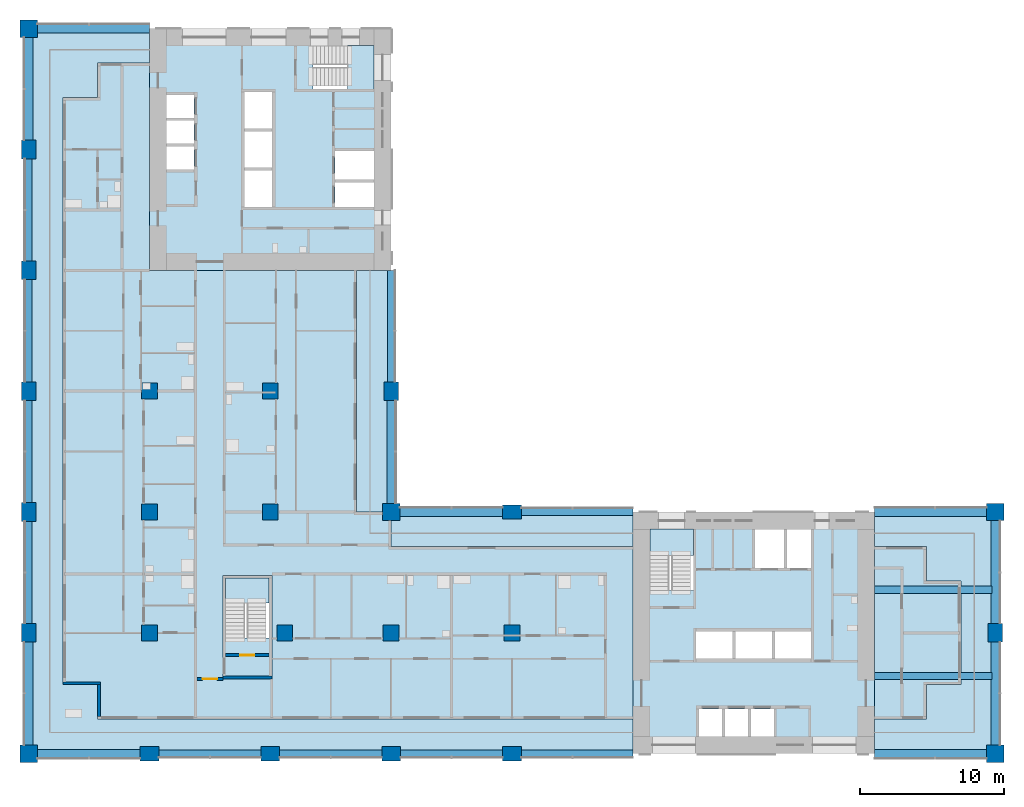
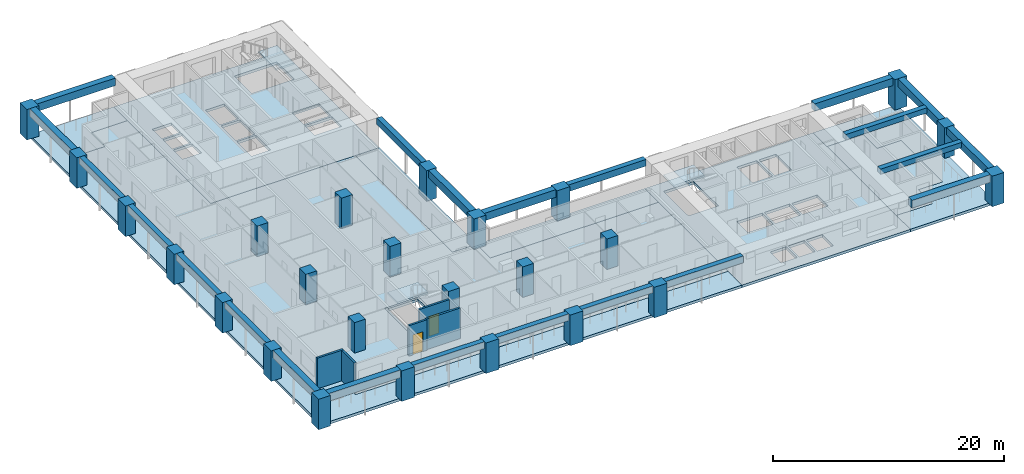
# One storey, part 1 of 17: 25 columns, 22 beams, 12 slabs, 5 walls, 2 doors, 2 openings, 3 elements without a shape of their own.
"""IFC4 building model written with IfcOpenShell, lengths in metres."""

from ifc_helpers import new_model, si_unit, direction, frame, frame_2d, origin, origin_2d, place, context, subcontext, project, spatial, polyline, rectangle, outline, extrude, material, layer, layer_set, material_profile, profile_set, type_object, element, fill, aggregate, save


model = new_model("IFC4")

# Units and contexts
model_context = context("Model", 3, precision=1e-05, world=origin(), true_north=direction((0.0, 1.0)))
body_context = subcontext(model_context, "Body", "Model", "MODEL_VIEW")
ifc_project = project(units=[si_unit("LENGTHUNIT", "METRE"), si_unit("AREAUNIT", "SQUARE_METRE"), si_unit("VOLUMEUNIT", "CUBIC_METRE"), si_unit("PLANEANGLEUNIT", "RADIAN"), si_unit("MASSUNIT", "GRAM", prefix="KILO")], contexts=[model_context])

# Site, building, storey
site_placement = place(None, origin())
site = spatial("IfcSite", under=ifc_project, at=site_placement, CompositionType="ELEMENT")
building_placement = place(site_placement, origin())
building = spatial("IfcBuilding", under=site, at=building_placement, Name="Vermilion Gate Residences", CompositionType="ELEMENT")
storey_placement = place(building_placement, frame((0.0, 0.0, 116.199951171875)))
storey = spatial("IfcBuildingStorey", under=building, at=storey_placement, Name="L29", CompositionType="ELEMENT", Elevation=116.199951171875)

# Columns
ifc_material_1 = material(Name="Concrete C70", Category="concrete")
ifc_material_profile_1 = material_profile(ifc_material_1, rectangle(XDim=1.10009765625, YDim=1.10009765625, at=origin_2d()), Name="RC-1100x1100")
ifc_profile_set_1 = profile_set([ifc_material_profile_1], Name="Concrete C70")
column_type_1 = type_object("IfcColumnType", Name="RC COLUMN 1100 X 1100 C70", PredefinedType="COLUMN", material=ifc_profile_set_1)
for number, where, z_axis, x_axis, name in (
    (1, (8.39990234375, 16.800048828125, 0.0), (0.0, 0.0, 1.0), (1.0, 0.0, 0.0), "Column 2-C L29"),
    (2, (8.39990234375, 25.199951171875, 0.0), (0.0, 0.0, 1.0), (1.0, 0.0, 0.0), "Column 2-D L29"),
    (3, (8.39990234375, 33.60009765625, 0.0), (0.0, 0.0, 1.0), (1.0, 0.0, 0.0), "Column 2-E L29"),
    (4, (17.800048828125, 16.800048828125, 0.0), (0.0, 0.0, 1.0), (1.0, 0.0, 0.0), "Column 3-C L29"),
    (5, (16.800048828125, 25.199951171875, 0.0), (0.0, 0.0, 1.0), (1.0, 0.0, 0.0), "Column 3-D L29"),
    (6, (16.800048828125, 33.60009765625, 0.0), (0.0, 0.0, 1.0), (1.0, 0.0, 0.0), "Column 3-E L29"),
    (7, (25.199951171875, 16.800048828125, 0.0), (0.0, 0.0, 1.0), (1.0, 0.0, 0.0), "Column 4-C L29"),
    (8, (33.60009765625, 16.800048828125, 0.0), (0.0, 0.0, 1.0), (1.0, 0.0, 0.0), "Column 5-C L29"),
):
    element("IfcColumn", number, at=place(storey_placement, frame(where, z_axis=z_axis, x_axis=x_axis)), inside=storey, type_object=column_type_1, Name=name, PredefinedType="COLUMN", context=body_context, shape_type="SweptSolid", body=[
        extrude(rectangle(XDim=1.10009765625, YDim=1.10009765625, at=origin_2d()), origin(), (0.0, 0.0, 1.0), 3.219970703125),
    ])
ifc_material_2 = material(Name="Concrete C70", Category="concrete")
ifc_material_profile_2 = material_profile(ifc_material_2, rectangle(XDim=1.199951171875, YDim=1.199951171875, at=origin_2d()), Name="RC-1200x1200")
ifc_profile_set_2 = profile_set([ifc_material_profile_2], Name="Concrete C70")
column_type_2 = type_object("IfcColumnType", Name="RC COLUMN 1200 X 1200 C70", PredefinedType="COLUMN", material=ifc_profile_set_2)
for number, where, z_axis, x_axis, name in (
    (9, (0.0, 8.39990234375, 0.0), (0.0, 0.0, 1.0), (1.0, 0.0, 0.0), "Column 1-B L29"),
    (10, (0.0, 58.800048828125, 0.0), (0.0, 0.0, 1.0), (1.0, 0.0, 0.0), "Column 1-H L29"),
    (11, (25.199951171875, 25.199951171875, 0.0), (0.0, 0.0, 1.0), (1.0, 0.0, 0.0), "Column 4-D L29"),
    (12, (67.199951171875, 8.39990234375, 0.0), (0.0, 0.0, 1.0), (1.0, 0.0, 0.0), "Column 9-B L29"),
    (13, (67.199951171875, 25.199951171875, 0.0), (0.0, 0.0, 1.0), (1.0, 0.0, 0.0), "Column 9-D L29"),
):
    element("IfcColumn", number, at=place(storey_placement, frame(where, z_axis=z_axis, x_axis=x_axis)), inside=storey, type_object=column_type_2, Name=name, PredefinedType="COLUMN", context=body_context, shape_type="SweptSolid", body=[
        extrude(rectangle(XDim=1.199951171875, YDim=1.199951171875, at=origin_2d()), origin(), (0.0, 0.0, 1.0), 3.219970703125),
    ])
ifc_material_3 = material(Name="Concrete C70", Category="concrete")
ifc_material_profile_3 = material_profile(ifc_material_3, rectangle(XDim=1.300048828125, YDim=1.0, at=origin_2d()), Name="RC-1300x1000")
ifc_profile_set_3 = profile_set([ifc_material_profile_3], Name="Concrete C70")
column_type_3 = type_object("IfcColumnType", Name="RC COLUMN 1300 X 1000 C70", PredefinedType="COLUMN", material=ifc_profile_set_3)
for number, where, z_axis, x_axis, name in (
    (14, (0.0, 16.800048828125, 0.0), (0.0, 0.0, 1.0), (0.0, 1.0, 0.0), "Column 1-C L29"),
    (15, (0.0, 25.199951171875, 0.0), (0.0, 0.0, 1.0), (0.0, 1.0, 0.0), "Column 1-D L29"),
    (16, (0.0, 33.60009765625, 0.0), (0.0, 0.0, 1.0), (0.0, 1.0, 0.0), "Column 1-E L29"),
    (17, (0.0, 42.0, 0.0), (0.0, 0.0, 1.0), (0.0, 1.0, 0.0), "Column 1-F L29"),
    (18, (0.0, 50.39990234375, 0.0), (0.0, 0.0, 1.0), (0.0, 1.0, 0.0), "Column 1-G L29"),
    (19, (8.39990234375, 8.39990234375, 0.0), (0.0, 0.0, 1.0), (1.0, 0.0, 0.0), "Column 2-B L29"),
    (20, (16.800048828125, 8.39990234375, 0.0), (0.0, 0.0, 1.0), (1.0, 0.0, 0.0), "Column 3-B L29"),
    (21, (25.199951171875, 8.39990234375, 0.0), (0.0, 0.0, 1.0), (1.0, 0.0, 0.0), "Column 4-B L29"),
    (22, (25.199951171875, 33.60009765625, 0.0), (0.0, 0.0, 1.0), (0.0, 1.0, 0.0), "Column 4-E L29"),
    (23, (33.60009765625, 8.39990234375, 0.0), (0.0, 0.0, 1.0), (1.0, 0.0, 0.0), "Column 5-B L29"),
    (24, (33.60009765625, 25.199951171875, 0.0), (0.0, 0.0, 1.0), (1.0, 0.0, 0.0), "Column 5-D L29"),
    (25, (67.199951171875, 16.800048828125, 0.0), (0.0, 0.0, 1.0), (0.0, 1.0, 0.0), "Column 9-C L29"),
):
    element("IfcColumn", number, at=place(storey_placement, frame(where, z_axis=z_axis, x_axis=x_axis)), inside=storey, type_object=column_type_3, Name=name, PredefinedType="COLUMN", context=body_context, shape_type="SweptSolid", body=[
        extrude(rectangle(XDim=1.300048828125, YDim=1.0, at=origin_2d()), origin(), (0.0, 0.0, 1.0), 3.219970703125),
    ])

# Beams
ifc_material_4 = material(Name="Concrete C60 red-oxide pigmented", Category="concrete")
ifc_material_profile_4 = material_profile(ifc_material_4, rectangle(XDim=0.60009765625, YDim=0.800048828125, at=origin_2d()), Name="RC-600x800")
ifc_profile_set_4 = profile_set([ifc_material_profile_4], Name="Concrete C60 red-oxide pigmented")
beam_type_1 = type_object("IfcBeamType", Name="RC CORNER EDGE BEAM 600 X 800 C60", PredefinedType="BEAM", material=ifc_profile_set_4)
for number, where, z_axis, x_axis, name in (
    (26, (0.60009765625, 8.39990234375, 2.820068359375), (1.0, 0.0, 0.0), (0.0, 1.0, 0.0), "Corner edge beam L29 1"),
    (27, (0.0, 9.0, 2.820068359375), (0.0, 1.0, 0.0), (-1.0, 0.0, 0.0), "Corner edge beam L29 2"),
):
    element("IfcBeam", number, at=place(storey_placement, frame(where, z_axis=z_axis, x_axis=x_axis)), inside=storey, type_object=beam_type_1, Name=name, PredefinedType="BEAM", context=body_context, shape_type="SweptSolid", body=[
        extrude(rectangle(XDim=0.60009765625, YDim=0.800048828125, at=origin_2d()), origin(), (0.0, 0.0, 1.0), 7.14990234375),
    ])
beam_1_placement = place(storey_placement, frame((0.60009765625, 58.800048828125, 2.820068359375), z_axis=(1.0, 0.0, 0.0), x_axis=(0.0, 1.0, 0.0)))
element("IfcBeam", 28, at=beam_1_placement, inside=storey, type_object=beam_type_1, Name="Corner edge beam L29 7", PredefinedType="BEAM", context=body_context, shape_type="SweptSolid", body=[
    extrude(rectangle(XDim=0.60009765625, YDim=0.800048828125, at=origin_2d()), origin(), (0.0, 0.0, 1.0), 7.7998046875),
])
for number, where, z_axis, x_axis, name in (
    (29, (0.0, 51.050048828125, 2.820068359375), (0.0, 1.0, 0.0), (-1.0, 0.0, 0.0), "Corner edge beam L29 8"),
    (30, (25.199951171875, 25.800048828125, 2.820068359375), (0.0, 1.0, 0.0), (-1.0, 0.0, 0.0), "Corner edge beam L29 11"),
    (31, (25.800048828125, 25.199951171875, 2.820068359375), (1.0, 0.0, 0.0), (0.0, 1.0, 0.0), "Corner edge beam L29 14"),
):
    element("IfcBeam", number, at=place(storey_placement, frame(where, z_axis=z_axis, x_axis=x_axis)), inside=storey, type_object=beam_type_1, Name=name, PredefinedType="BEAM", context=body_context, shape_type="SweptSolid", body=[
        extrude(rectangle(XDim=0.60009765625, YDim=0.800048828125, at=origin_2d()), origin(), (0.0, 0.0, 1.0), 7.14990234375),
    ])
beam_2_placement = place(storey_placement, frame((58.800048828125, 8.39990234375, 2.820068359375), z_axis=(1.0, 0.0, 0.0), x_axis=(0.0, 1.0, 0.0)))
element("IfcBeam", 32, at=beam_2_placement, inside=storey, type_object=beam_type_1, Name="Corner edge beam L29 17", PredefinedType="BEAM", context=body_context, shape_type="SweptSolid", body=[
    extrude(rectangle(XDim=0.60009765625, YDim=0.800048828125, at=origin_2d()), origin(), (0.0, 0.0, 1.0), 7.800048828125),
])
beam_3_placement = place(storey_placement, frame((67.199951171875, 9.0, 2.820068359375), z_axis=(0.0, 1.0, 0.0), x_axis=(-1.0, 0.0, 0.0)))
element("IfcBeam", 33, at=beam_3_placement, inside=storey, type_object=beam_type_1, Name="Corner edge beam L29 18", PredefinedType="BEAM", context=body_context, shape_type="SweptSolid", body=[
    extrude(rectangle(XDim=0.60009765625, YDim=0.800048828125, at=origin_2d()), origin(), (0.0, 0.0, 1.0), 7.14990234375),
])
beam_4_placement = place(storey_placement, frame((67.199951171875, 17.449951171875, 2.820068359375), z_axis=(0.0, 1.0, 0.0), x_axis=(-1.0, 0.0, 0.0)))
element("IfcBeam", 34, at=beam_4_placement, inside=storey, type_object=beam_type_1, Name="Corner edge beam L29 19", PredefinedType="BEAM", context=body_context, shape_type="SweptSolid", body=[
    extrude(rectangle(XDim=0.60009765625, YDim=0.800048828125, at=origin_2d()), origin(), (0.0, 0.0, 1.0), 7.150146484375),
])
beam_5_placement = place(storey_placement, frame((58.800048828125, 25.199951171875, 2.820068359375), z_axis=(1.0, 0.0, 0.0), x_axis=(0.0, 1.0, 0.0)))
element("IfcBeam", 35, at=beam_5_placement, inside=storey, type_object=beam_type_1, Name="Corner edge beam L29 20", PredefinedType="BEAM", context=body_context, shape_type="SweptSolid", body=[
    extrude(rectangle(XDim=0.60009765625, YDim=0.800048828125, at=origin_2d()), origin(), (0.0, 0.0, 1.0), 7.800048828125),
])
ifc_material_5 = material(Name="Concrete C60 red-oxide pigmented", Category="concrete")
ifc_material_profile_5 = material_profile(ifc_material_5, rectangle(XDim=0.5, YDim=0.699951171875, at=origin_2d()), Name="RC-500x700")
ifc_profile_set_5 = profile_set([ifc_material_profile_5], Name="Concrete C60 red-oxide pigmented")
beam_type_2 = type_object("IfcBeamType", Name="RC EDGE BEAM 500 X 700 C60", PredefinedType="BEAM", material=ifc_profile_set_5)
beam_6_placement = place(storey_placement, frame((0.0, 17.449951171875, 2.8701171875), z_axis=(0.0, 1.0, 0.0), x_axis=(-1.0, 0.0, 0.0)))
element("IfcBeam", 36, at=beam_6_placement, inside=storey, type_object=beam_type_2, Name="Edge beam L29 3", PredefinedType="BEAM", context=body_context, shape_type="SweptSolid", body=[
    extrude(rectangle(XDim=0.5, YDim=0.699951171875, at=origin_2d()), origin(), (0.0, 0.0, 1.0), 7.10009765625),
])
beam_7_placement = place(storey_placement, frame((0.0, 25.85009765625, 2.8701171875), z_axis=(0.0, 1.0, 0.0), x_axis=(-1.0, 0.0, 0.0)))
element("IfcBeam", 37, at=beam_7_placement, inside=storey, type_object=beam_type_2, Name="Edge beam L29 4", PredefinedType="BEAM", context=body_context, shape_type="SweptSolid", body=[
    extrude(rectangle(XDim=0.5, YDim=0.699951171875, at=origin_2d()), origin(), (0.0, 0.0, 1.0), 7.099853515625),
])
for number, where, z_axis, x_axis, name in (
    (38, (0.0, 34.25, 2.8701171875), (0.0, 1.0, 0.0), (-1.0, 0.0, 0.0), "Edge beam L29 5"),
    (39, (0.0, 42.64990234375, 2.8701171875), (0.0, 1.0, 0.0), (-1.0, 0.0, 0.0), "Edge beam L29 6"),
):
    element("IfcBeam", number, at=place(storey_placement, frame(where, z_axis=z_axis, x_axis=x_axis)), inside=storey, type_object=beam_type_2, Name=name, PredefinedType="BEAM", context=body_context, shape_type="SweptSolid", body=[
        extrude(rectangle(XDim=0.5, YDim=0.699951171875, at=origin_2d()), origin(), (0.0, 0.0, 1.0), 7.10009765625),
    ])
beam_8_placement = place(storey_placement, frame((9.050048828125, 8.39990234375, 2.8701171875), z_axis=(1.0, 0.0, 0.0), x_axis=(0.0, 1.0, 0.0)))
element("IfcBeam", 40, at=beam_8_placement, inside=storey, type_object=beam_type_2, Name="Edge beam L29 9", PredefinedType="BEAM", context=body_context, shape_type="SweptSolid", body=[
    extrude(rectangle(XDim=0.5, YDim=0.699951171875, at=origin_2d()), origin(), (0.0, 0.0, 1.0), 7.099853515625),
])
beam_9_placement = place(storey_placement, frame((17.449951171875, 8.39990234375, 2.8701171875), z_axis=(1.0, 0.0, 0.0), x_axis=(0.0, 1.0, 0.0)))
element("IfcBeam", 41, at=beam_9_placement, inside=storey, type_object=beam_type_2, Name="Edge beam L29 10", PredefinedType="BEAM", context=body_context, shape_type="SweptSolid", body=[
    extrude(rectangle(XDim=0.5, YDim=0.699951171875, at=origin_2d()), origin(), (0.0, 0.0, 1.0), 7.10009765625),
])
beam_10_placement = place(storey_placement, frame((25.199951171875, 34.25, 2.8701171875), z_axis=(0.0, 1.0, 0.0), x_axis=(-1.0, 0.0, 0.0)))
element("IfcBeam", 42, at=beam_10_placement, inside=storey, type_object=beam_type_2, Name="Edge beam L29 12", PredefinedType="BEAM", context=body_context, shape_type="SweptSolid", body=[
    extrude(rectangle(XDim=0.5, YDim=0.699951171875, at=origin_2d()), origin(), (0.0, 0.0, 1.0), 7.75),
])
beam_11_placement = place(storey_placement, frame((25.85009765625, 8.39990234375, 2.8701171875), z_axis=(1.0, 0.0, 0.0), x_axis=(0.0, 1.0, 0.0)))
element("IfcBeam", 43, at=beam_11_placement, inside=storey, type_object=beam_type_2, Name="Edge beam L29 13", PredefinedType="BEAM", context=body_context, shape_type="SweptSolid", body=[
    extrude(rectangle(XDim=0.5, YDim=0.699951171875, at=origin_2d()), origin(), (0.0, 0.0, 1.0), 7.099853515625),
])
for number, where, z_axis, x_axis, name in (
    (44, (34.25, 8.39990234375, 2.8701171875), (1.0, 0.0, 0.0), (0.0, 1.0, 0.0), "Edge beam L29 15"),
    (45, (34.25, 25.199951171875, 2.8701171875), (1.0, 0.0, 0.0), (0.0, 1.0, 0.0), "Edge beam L29 16"),
):
    element("IfcBeam", number, at=place(storey_placement, frame(where, z_axis=z_axis, x_axis=x_axis)), inside=storey, type_object=beam_type_2, Name=name, PredefinedType="BEAM", context=body_context, shape_type="SweptSolid", body=[
        extrude(rectangle(XDim=0.5, YDim=0.699951171875, at=origin_2d()), origin(), (0.0, 0.0, 1.0), 7.75),
    ])
ifc_material_6 = material(Name="Concrete C60", Category="concrete")
ifc_material_profile_6 = material_profile(ifc_material_6, rectangle(XDim=0.5, YDim=0.550048828125, at=origin_2d()), Name="RC-500x550")
ifc_profile_set_6 = profile_set([ifc_material_profile_6], Name="Concrete C60")
beam_type_3 = type_object("IfcBeamType", Name="RC WING BEAM 500 X 550 C60", PredefinedType="BEAM", material=ifc_profile_set_6)
for number, where, z_axis, x_axis, name in (
    (46, (58.800048828125, 13.800048828125, 2.945068359375), (1.0, 0.0, 0.0), (0.0, 1.0, 0.0), "Wing-end beam L29 1"),
    (47, (58.800048828125, 19.800048828125, 2.945068359375), (1.0, 0.0, 0.0), (0.0, 1.0, 0.0), "Wing-end beam L29 2"),
):
    element("IfcBeam", number, at=place(storey_placement, frame(where, z_axis=z_axis, x_axis=x_axis)), inside=storey, type_object=beam_type_3, Name=name, PredefinedType="BEAM", context=body_context, shape_type="SweptSolid", body=[
        extrude(rectangle(XDim=0.5, YDim=0.550048828125, at=origin_2d()), origin(), (0.0, 0.0, 1.0), 8.14990234375),
    ])

# Slabs
ifc_material_7 = material(Name="Concrete C50", Category="concrete")
ifc_layer_1 = layer(ifc_material_7, 0.280029296875)
ifc_layer_set_1 = layer_set([ifc_layer_1], Name="RC CORE FLOOR SLAB 280 C50")
slab_type_1 = type_object("IfcSlabType", Name="RC CORE FLOOR SLAB 280 C50", PredefinedType="FLOOR", material=ifc_layer_set_1)
slab_1_placement = place(storey_placement, frame((0.0, 0.0, -0.280029296875)))
element("IfcSlab", 48, at=slab_1_placement, inside=storey, type_object=slab_type_1, Name="Core floor slab A29", PredefinedType="FLOOR", context=body_context, shape_type="SweptSolid", body=[
    extrude(outline(polyline([(42.0, 8.39990234375), (58.800048828125, 8.39990234375), (58.800048828125, 25.199951171875), (42.0, 25.199951171875), (42.0, 8.39990234375)]), holes=[polyline([(46.60009765625, 11.5), (48.199951171875, 11.5), (48.199951171875, 9.60009765625), (46.60009765625, 9.60009765625), (46.60009765625, 11.5)]), polyline([(48.39990234375, 11.5), (50.0, 11.5), (50.0, 9.60009765625), (48.39990234375, 9.60009765625), (48.39990234375, 11.5)]), polyline([(50.199951171875, 11.5), (51.800048828125, 11.5), (51.800048828125, 9.60009765625), (50.199951171875, 9.60009765625), (50.199951171875, 11.5)]), polyline([(46.39990234375, 16.89990234375), (48.933349609375, 16.89990234375), (48.933349609375, 15.0), (46.39990234375, 15.0), (46.39990234375, 16.89990234375)]), polyline([(49.13330078125, 16.89990234375), (51.666748046875, 16.89990234375), (51.666748046875, 15.0), (49.13330078125, 15.0), (49.13330078125, 16.89990234375)]), polyline([(51.86669921875, 16.89990234375), (54.39990234375, 16.89990234375), (54.39990234375, 15.0), (51.86669921875, 15.0), (51.86669921875, 16.89990234375)]), polyline([(43.199951171875, 24.0), (46.199951171875, 24.0), (46.199951171875, 19.75), (43.199951171875, 19.75), (43.199951171875, 24.0)]), polyline([(52.5, 24.0), (52.5, 21.300048828125), (50.5, 21.300048828125), (50.5, 24.0), (52.5, 24.0)]), polyline([(54.39990234375, 24.0), (54.39990234375, 21.300048828125), (52.699951171875, 21.300048828125), (52.699951171875, 24.0), (54.39990234375, 24.0)])]), origin(), (0.0, 0.0, 1.0), 0.280029296875),
])
slab_2_placement = place(storey_placement, frame((0.0, 0.0, -0.280029296875)))
element("IfcSlab", 49, at=slab_2_placement, inside=storey, type_object=slab_type_1, Name="Core floor slab B29", PredefinedType="FLOOR", context=body_context, shape_type="SweptSolid", body=[
    extrude(outline(polyline([(8.39990234375, 42.0), (25.199951171875, 42.0), (25.199951171875, 58.800048828125), (8.39990234375, 58.800048828125), (8.39990234375, 42.0)]), holes=[polyline([(21.300048828125, 48.10009765625), (24.0, 48.10009765625), (24.0, 46.39990234375), (21.300048828125, 46.39990234375), (21.300048828125, 48.10009765625)]), polyline([(15.0, 48.933349609375), (16.89990234375, 48.933349609375), (16.89990234375, 46.39990234375), (15.0, 46.39990234375), (15.0, 48.933349609375)]), polyline([(21.300048828125, 50.300048828125), (24.0, 50.300048828125), (24.0, 48.300048828125), (21.300048828125, 48.300048828125), (21.300048828125, 50.300048828125)]), polyline([(9.60009765625, 50.60009765625), (11.5, 50.60009765625), (11.5, 49.0), (9.60009765625, 49.0), (9.60009765625, 50.60009765625)]), polyline([(15.0, 51.666748046875), (16.89990234375, 51.666748046875), (16.89990234375, 49.13330078125), (15.0, 49.13330078125), (15.0, 51.666748046875)]), polyline([(9.60009765625, 52.39990234375), (11.5, 52.39990234375), (11.5, 50.800048828125), (9.60009765625, 50.800048828125), (9.60009765625, 52.39990234375)]), polyline([(15.0, 54.39990234375), (16.89990234375, 54.39990234375), (16.89990234375, 51.86669921875), (15.0, 51.86669921875), (15.0, 54.39990234375)]), polyline([(11.5, 54.199951171875), (11.5, 52.60009765625), (9.60009765625, 52.60009765625), (9.60009765625, 54.199951171875), (11.5, 54.199951171875)]), polyline([(24.0, 57.60009765625), (24.0, 54.60009765625), (19.75, 54.60009765625), (19.75, 57.60009765625), (24.0, 57.60009765625)])]), origin(), (0.0, 0.0, 1.0), 0.280029296875),
])
slab_3_placement = place(storey_placement, frame((0.0, 0.0, -0.280029296875)))
element("IfcSlab", 50, at=slab_3_placement, inside=storey, type_object=slab_type_1, Name="Apex stair floor slab 29", PredefinedType="FLOOR", context=body_context, shape_type="SweptSolid", body=[
    extrude(outline(polyline([(13.5, 13.60009765625), (16.89990234375, 13.60009765625), (16.89990234375, 20.800048828125), (13.5, 20.800048828125), (13.5, 13.60009765625)]), holes=[polyline([(16.699951171875, 20.60009765625), (16.699951171875, 16.449951171875), (13.699951171875, 16.449951171875), (13.699951171875, 20.60009765625), (16.699951171875, 20.60009765625)])]), origin(), (0.0, 0.0, 1.0), 0.280029296875),
])
ifc_material_8 = material(Name="Concrete C50", Category="concrete")
ifc_layer_2 = layer(ifc_material_8, 0.280029296875)
ifc_layer_set_2 = layer_set([ifc_layer_2], Name="RC FLAT PLATE 280 C50")
slab_type_2 = type_object("IfcSlabType", Name="RC FLAT PLATE 280 C50", PredefinedType="FLOOR", material=ifc_layer_set_2)
slab_4_placement = place(storey_placement, frame((0.0, 0.0, -0.280029296875)))
element("IfcSlab", 51, at=slab_4_placement, inside=storey, type_object=slab_type_2, Name="Floor slab L29", PredefinedType="FLOOR", context=body_context, shape_type="SweptSolid", body=[
    extrude(outline(polyline([(22.800048828125, 25.199951171875), (22.800048828125, 42.0), (8.39990234375, 42.0), (8.39990234375, 56.39990234375), (4.800048828125, 56.39990234375), (4.800048828125, 54.0), (2.39990234375, 54.0), (2.39990234375, 13.199951171875), (4.800048828125, 13.199951171875), (4.800048828125, 10.800048828125), (42.0, 10.800048828125), (42.0, 22.800048828125), (25.199951171875, 22.800048828125), (25.199951171875, 25.199951171875), (22.800048828125, 25.199951171875)]), holes=[polyline([(13.5, 13.60009765625), (13.5, 20.800048828125), (16.89990234375, 20.800048828125), (16.89990234375, 13.60009765625), (13.5, 13.60009765625)])]), origin(), (0.0, 0.0, 1.0), 0.280029296875),
])
slab_5_placement = place(storey_placement, frame((0.0, 0.0, -0.280029296875)))
element("IfcSlab", 52, at=slab_5_placement, inside=storey, type_object=slab_type_2, Name="Floor slab L29", PredefinedType="FLOOR", context=body_context, shape_type="SweptSolid", body=[
    extrude(outline(polyline([(58.800048828125, 22.800048828125), (58.800048828125, 10.800048828125), (62.39990234375, 10.800048828125), (62.39990234375, 13.199951171875), (64.800048828125, 13.199951171875), (64.800048828125, 20.39990234375), (62.39990234375, 20.39990234375), (62.39990234375, 22.800048828125), (58.800048828125, 22.800048828125)])), origin(), (0.0, 0.0, 1.0), 0.280029296875),
])
ifc_material_9 = material(Name="Concrete C50 red-oxide pigmented", Category="concrete")
ifc_layer_3 = layer(ifc_material_9, 0.280029296875)
ifc_layer_set_3 = layer_set([ifc_layer_3], Name="RC LOGGIA SLAB 280 C50")
slab_type_3 = type_object("IfcSlabType", Name="RC LOGGIA SLAB 280 C50", PredefinedType="FLOOR", material=ifc_layer_set_3)
slab_6_placement = place(storey_placement, frame((0.0, 0.0, -0.280029296875)))
element("IfcSlab", 53, at=slab_6_placement, inside=storey, type_object=slab_type_3, Name="Loggia slab L29", PredefinedType="FLOOR", context=body_context, shape_type="SweptSolid", body=[
    extrude(outline(polyline([(0.0, 58.800048828125), (0.0, 8.39990234375), (42.0, 8.39990234375), (42.0, 10.800048828125), (4.800048828125, 10.800048828125), (4.800048828125, 13.199951171875), (2.39990234375, 13.199951171875), (2.39990234375, 54.0), (4.800048828125, 54.0), (4.800048828125, 56.39990234375), (8.39990234375, 56.39990234375), (8.39990234375, 58.800048828125), (0.0, 58.800048828125)])), origin(), (0.0, 0.0, 1.0), 0.280029296875),
])
slab_7_placement = place(storey_placement, frame((0.0, 0.0, -0.280029296875)))
element("IfcSlab", 54, at=slab_7_placement, inside=storey, type_object=slab_type_3, Name="Loggia slab L29", PredefinedType="FLOOR", context=body_context, shape_type="SweptSolid", body=[
    extrude(outline(polyline([(64.800048828125, 20.39990234375), (64.800048828125, 13.199951171875), (62.39990234375, 13.199951171875), (62.39990234375, 10.800048828125), (58.800048828125, 10.800048828125), (58.800048828125, 8.39990234375), (67.199951171875, 8.39990234375), (67.199951171875, 25.199951171875), (58.800048828125, 25.199951171875), (58.800048828125, 22.800048828125), (62.39990234375, 22.800048828125), (62.39990234375, 20.39990234375), (64.800048828125, 20.39990234375)])), origin(), (0.0, 0.0, 1.0), 0.280029296875),
])
slab_8_placement = place(storey_placement, frame((0.0, 0.0, -0.280029296875)))
element("IfcSlab", 55, at=slab_8_placement, inside=storey, type_object=slab_type_3, Name="Loggia slab L29", PredefinedType="FLOOR", context=body_context, shape_type="SweptSolid", body=[
    extrude(outline(polyline([(25.199951171875, 22.800048828125), (42.0, 22.800048828125), (42.0, 25.199951171875), (25.199951171875, 25.199951171875), (25.199951171875, 22.800048828125)])), origin(), (0.0, 0.0, 1.0), 0.280029296875),
])
slab_9_placement = place(storey_placement, frame((0.0, 0.0, -0.280029296875)))
element("IfcSlab", 56, at=slab_9_placement, inside=storey, type_object=slab_type_3, Name="Loggia slab L29", PredefinedType="FLOOR", context=body_context, shape_type="SweptSolid", body=[
    extrude(outline(polyline([(25.199951171875, 25.199951171875), (25.199951171875, 42.0), (22.800048828125, 42.0), (22.800048828125, 25.199951171875), (25.199951171875, 25.199951171875)])), origin(), (0.0, 0.0, 1.0), 0.280029296875),
])

# Stair, slab
ifc_material_10 = material(Name="Concrete C50", Category="concrete")
stair_type = type_object("IfcStairType", Name="SPECIAL ESCAPE STAIR 1300", PredefinedType="HALF_TURN_STAIR", material=ifc_material_10)
stair_1_placement = place(storey_placement, origin())
stair_1 = element("IfcStair", 57, at=stair_1_placement, inside=storey, type_object=stair_type, Name="Special escape stair STA1-29", PredefinedType="HALF_TURN_STAIR")
ifc_material_11 = material(Name="Concrete C50", Category="concrete")
ifc_layer_4 = layer(ifc_material_11, 0.199951171875)
ifc_layer_set_4 = layer_set([ifc_layer_4], Name="STAIR LANDING 200 C50")
slab_type_4 = type_object("IfcSlabType", Name="STAIR LANDING 200 C50", PredefinedType="LANDING", material=ifc_layer_set_4)
slab_10_placement = place(storey_placement, frame((0.0, 0.0, 1.550048828125)))
slab_10 = element("IfcSlab", 58, at=slab_10_placement, type_object=slab_type_4, Name="STA1-29 landing 1", PredefinedType="LANDING", context=body_context, shape_type="SweptSolid", body=[
    extrude(outline(polyline([(46.219970703125, 22.179931640625), (46.219970703125, 24.02001953125), (43.179931640625, 24.02001953125), (43.179931640625, 22.179931640625), (46.219970703125, 22.179931640625)])), origin(), (0.0, 0.0, 1.0), 0.199951171875),
])
aggregate(stair_1, [slab_10])

stair_2_placement = place(storey_placement, origin())
stair_2 = element("IfcStair", 59, at=stair_2_placement, inside=storey, type_object=stair_type, Name="Special escape stair STB1-29", PredefinedType="HALF_TURN_STAIR")
slab_11_placement = place(storey_placement, frame((0.0, 0.0, 1.550048828125)))
slab_11 = element("IfcSlab", 60, at=slab_11_placement, type_object=slab_type_4, Name="STB1-29 landing 1", PredefinedType="LANDING", context=body_context, shape_type="SweptSolid", body=[
    extrude(outline(polyline([(24.02001953125, 54.580078125), (24.02001953125, 57.6201171875), (22.179931640625, 57.6201171875), (22.179931640625, 54.580078125), (24.02001953125, 54.580078125)])), origin(), (0.0, 0.0, 1.0), 0.199951171875),
])
aggregate(stair_2, [slab_11])

stair_3_placement = place(storey_placement, origin())
stair_3 = element("IfcStair", 61, at=stair_3_placement, inside=storey, type_object=stair_type, Name="Special escape stair STC1-29", PredefinedType="HALF_TURN_STAIR")
slab_12_placement = place(storey_placement, frame((0.0, 0.0, 1.550048828125)))
slab_12 = element("IfcSlab", 62, at=slab_12_placement, type_object=slab_type_4, Name="STC1-29 landing 1", PredefinedType="LANDING", context=body_context, shape_type="SweptSolid", body=[
    extrude(outline(polyline([(16.719970703125, 18.8798828125), (16.719970703125, 20.6201171875), (13.679931640625, 20.6201171875), (13.679931640625, 18.8798828125), (16.719970703125, 18.8798828125)])), origin(), (0.0, 0.0, 1.0), 0.199951171875),
])
aggregate(stair_3, [slab_12])

# Walls
ifc_material_12 = material(Name="Insulated steel stud wall with terracotta rainscreen", Category="masonry")
ifc_layer_5 = layer(ifc_material_12, 0.199951171875)
ifc_layer_set_5 = layer_set([ifc_layer_5], Name="EXTERNAL WALL 200 TERRACOTTA RAINSCREEN")
wall_type_1 = type_object("IfcWallType", Name="EXTERNAL WALL 200 TERRACOTTA RAINSCREEN", PredefinedType="SOLIDWALL", material=ifc_layer_set_5)
wall_1_placement = place(storey_placement, frame((2.39990234375, 13.300048828125, 0.0), z_axis=(0.0, 0.0, 1.0), x_axis=(1.0, 0.0, 0.0)))
element("IfcWall", 63, at=wall_1_placement, inside=storey, type_object=wall_type_1, Name="External wall", PredefinedType="SOLIDWALL", context=body_context, shape_type="SweptSolid", body=[
    extrude(rectangle(XDim=2.60009765625, YDim=0.199951171875, at=frame_2d((1.300048828125, 0.0))), origin(), (0.0, 0.0, 1.0), 3.219970703125),
])
wall_2_placement = place(storey_placement, frame((4.89990234375, 13.199951171875, 0.0), z_axis=(0.0, 0.0, 1.0), x_axis=(0.0, -1.0, 0.0)))
element("IfcWall", 64, at=wall_2_placement, inside=storey, type_object=wall_type_1, Name="External wall", PredefinedType="SOLIDWALL", context=body_context, shape_type="SweptSolid", body=[
    extrude(rectangle(XDim=2.199951171875, YDim=0.199951171875, at=frame_2d((1.10009765625, 0.0))), origin(), (0.0, 0.0, 1.0), 3.219970703125),
])

# Wall, opening, door
ifc_material_13 = material(Name="Fire-rated plasterboard on steel studs", Category="steel")
ifc_layer_6 = layer(ifc_material_13, 0.199951171875)
ifc_layer_set_6 = layer_set([ifc_layer_6], Name="PARTY WALL 200 EI 120")
wall_type_2 = type_object("IfcWallType", Name="PARTY WALL 200 EI 120", PredefinedType="PARTITIONING", material=ifc_layer_set_6)
wall_3_placement = place(storey_placement, frame((11.699951171875, 13.60009765625, 0.0), z_axis=(0.0, 0.0, 1.0), x_axis=(1.0, 0.0, 0.0)))
wall_3 = element("IfcWall", 65, at=wall_3_placement, inside=storey, type_object=wall_type_2, Name="Party and corridor wall", PredefinedType="PARTITIONING", context=body_context, shape_type="SweptSolid", body=[
    extrude(rectangle(XDim=1.800048828125, YDim=0.199951171875, at=frame_2d((0.89990234375, 0.0))), origin(), (0.0, 0.0, 1.0), 3.219970703125),
])
opening_1_placement = place(wall_3_placement, frame((0.39990234375, 0.0, 0.0)))
opening_1 = element("IfcOpeningElement", 66, at=opening_1_placement, cuts=wall_3, Name="Opening DA28001", PredefinedType="OPENING", context=body_context, shape_type="SweptSolid", body=[
    extrude(rectangle(XDim=1.0, YDim=2.10009765625, at=frame_2d((0.5, 1.050048828125))), frame((0.0, 0.10986328125, 0.0), z_axis=(0.0, -1.0, 0.0), x_axis=(1.0, 0.0, 0.0)), (0.0, 0.0, 1.0), 0.219970703125),
])
ifc_material_14 = material(Name="Steel", Category="steel")
door_type_1 = type_object("IfcDoorType", Name="ENTRANCE DOOR 1000 X 2100 FD30", OperationType="SINGLE_SWING_LEFT", PredefinedType="DOOR", material=ifc_material_14)
door_1_placement = place(opening_1_placement, frame((1.0, 0.0, 0.0), z_axis=(0.0, 0.0, 1.0), x_axis=(-1.0, 0.0, 0.0)))
door_1 = element("IfcDoor", 67, at=door_1_placement, inside=storey, type_object=door_type_1, Name="Entrance door", OperationType="SINGLE_SWING_RIGHT", OverallHeight=2.10009765625, OverallWidth=1.0, PredefinedType="DOOR", context=body_context, shape_type="SweptSolid", body=[
    extrude(rectangle(XDim=1.0, YDim=2.10009765625, at=frame_2d((0.5, 1.050048828125))), frame((0.0, 0.02490234375, 0.0), z_axis=(0.0, -1.0, 0.0), x_axis=(1.0, 0.0, 0.0)), (0.0, 0.0, 1.0), 0.050048828125),
])
fill(opening_1, door_1)

# Wall
ifc_material_15 = material(Name="Concrete C60", Category="concrete")
ifc_layer_7 = layer(ifc_material_15, 0.199951171875)
ifc_layer_set_7 = layer_set([ifc_layer_7], Name="RC CORE INTERNAL WALL 200 C60")
wall_type_3 = type_object("IfcWallType", Name="RC CORE INTERNAL WALL 200 C60", PredefinedType="SHEAR", material=ifc_layer_set_7)
wall_4_placement = place(storey_placement, frame((13.5, 13.699951171875, 0.0), z_axis=(0.0, 0.0, 1.0), x_axis=(1.0, 0.0, 0.0)))
element("IfcWall", 68, at=wall_4_placement, inside=storey, type_object=wall_type_3, Name="Core internal wall C29-S", PredefinedType="SHEAR", context=body_context, shape_type="SweptSolid", body=[
    extrude(rectangle(XDim=3.39990234375, YDim=0.199951171875, at=frame_2d((1.699951171875, 0.0))), origin(), (0.0, 0.0, 1.0), 3.219970703125),
])

# Wall, opening, door
wall_5_placement = place(storey_placement, frame((13.699951171875, 15.25, 0.0), z_axis=(0.0, 0.0, 1.0), x_axis=(1.0, 0.0, 0.0)))
wall_5 = element("IfcWall", 69, at=wall_5_placement, inside=storey, type_object=wall_type_3, Name="Core internal wall C29-P", PredefinedType="SHEAR", context=body_context, shape_type="SweptSolid", body=[
    extrude(rectangle(XDim=3.0, YDim=0.199951171875, at=frame_2d((1.5, 0.0))), origin(), (0.0, 0.0, 1.0), 3.219970703125),
])
opening_2_placement = place(wall_5_placement, frame((1.0, 0.0, 0.0)))
opening_2 = element("IfcOpeningElement", 70, at=opening_2_placement, cuts=wall_5, Name="Opening DK29202", PredefinedType="OPENING", context=body_context, shape_type="SweptSolid", body=[
    extrude(rectangle(XDim=1.0, YDim=2.10009765625, at=frame_2d((0.5, 1.050048828125))), frame((0.0, 0.10986328125, 0.0), z_axis=(0.0, -1.0, 0.0), x_axis=(1.0, 0.0, 0.0)), (0.0, 0.0, 1.0), 0.219970703125),
])
ifc_material_16 = material(Name="Steel", Category="steel")
door_type_2 = type_object("IfcDoorType", Name="FIRE DOOR FD60 1000 X 2100", OperationType="SINGLE_SWING_LEFT", PredefinedType="DOOR", material=ifc_material_16)
door_2_placement = place(opening_2_placement, origin())
door_2 = element("IfcDoor", 71, at=door_2_placement, inside=storey, type_object=door_type_2, Name="Stair door C29", OperationType="SINGLE_SWING_LEFT", OverallHeight=2.10009765625, OverallWidth=1.0, PredefinedType="DOOR", context=body_context, shape_type="SweptSolid", body=[
    extrude(rectangle(XDim=1.0, YDim=2.10009765625, at=frame_2d((0.5, 1.050048828125))), frame((0.0, 0.02490234375, 0.0), z_axis=(0.0, -1.0, 0.0), x_axis=(1.0, 0.0, 0.0)), (0.0, 0.0, 1.0), 0.050048828125),
])
fill(opening_2, door_2)

save(model, "model.ifc")
